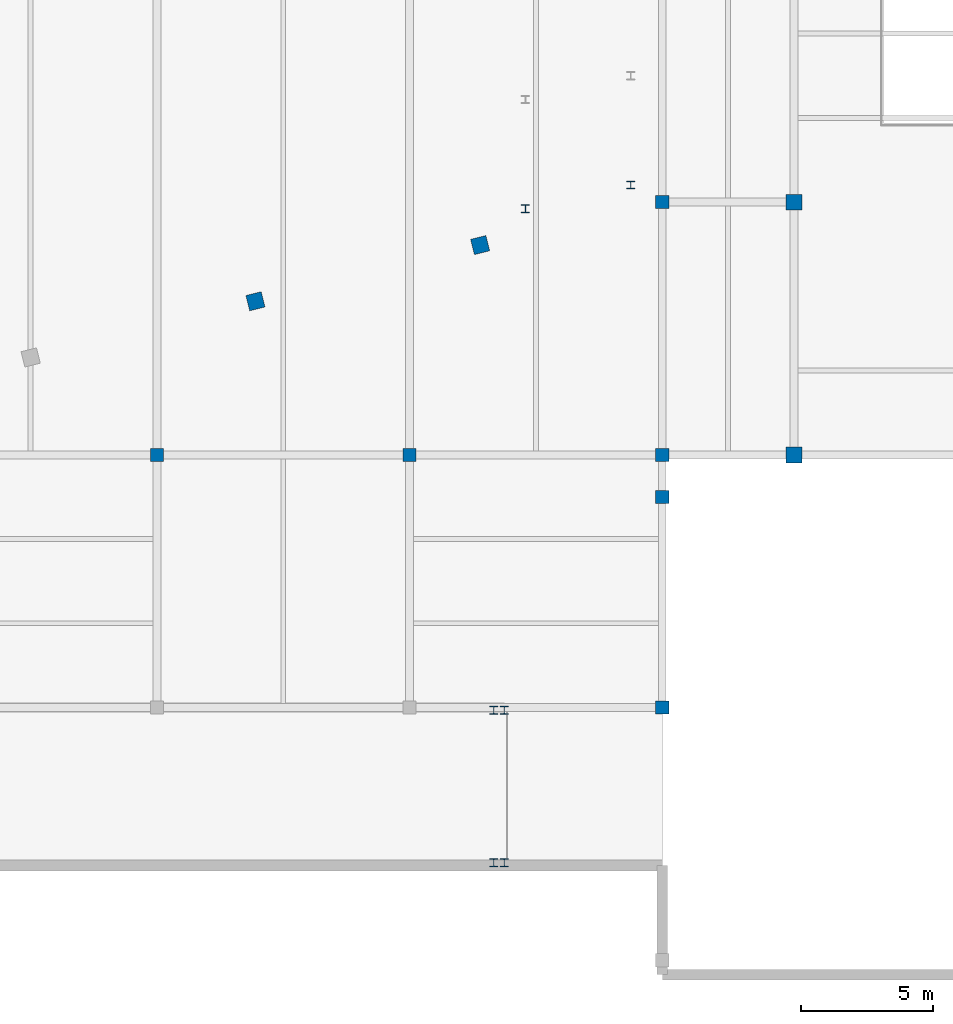
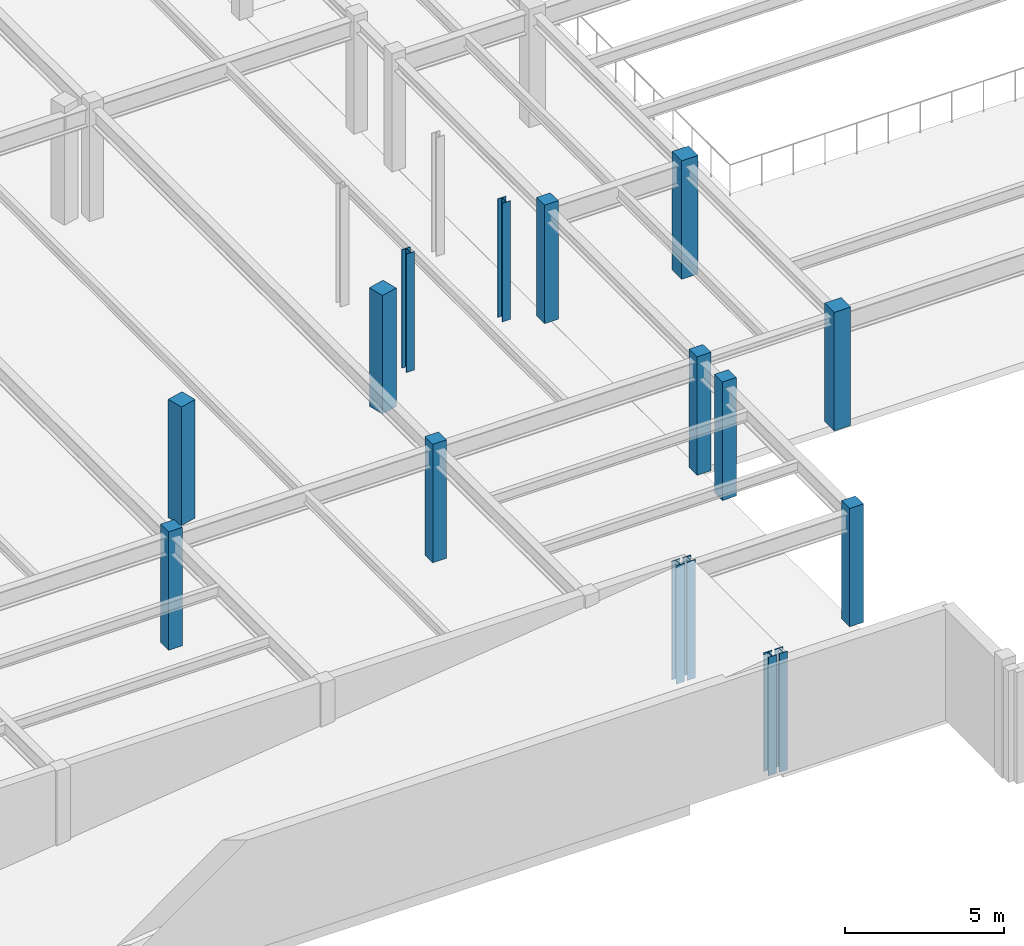
# One storey, part 5 of 32: 16 columns.
"""IFC4 building model written with IfcOpenShell, lengths in metres."""

import ifcopenshell
import ifcopenshell.guid

model = None  # the IFC model being written
_history = None  # IfcOwnerHistory: only IFC2X3 demands one
_inside = {}  # id of a spatial element -> (the spatial element, [elements in it])
_under = {}  # id of a project, library or spatial element -> (it, [spatial elements below it])
_declared = {}  # id of a project -> (the project, [libraries it declares])
_typed = {}  # id of a type object -> (the type object, [elements of that type])
_made_of = {}  # id of a material, layer set ... -> (it, [elements and type objects made of it])


def new_model(schema):
    """Start an empty IFC model of exactly this schema.

    Asked for "IFC4X3", IfcOpenShell would pick the latest addendum, in which some entities
    have other attributes; the version numbers below select the first issue.
    IFC2X3 requires an IfcOwnerHistory on every rooted entity: one is made here for all.
    """
    global model, _history
    if schema == "IFC4X3":
        model = ifcopenshell.file(schema_version=(4, 3, 0, 0))
    else:
        model = ifcopenshell.file(schema=schema)
    _inside.clear()
    _under.clear()
    _declared.clear()
    _typed.clear()
    _made_of.clear()
    _history = None
    if model.schema == "IFC2X3":
        org = make("IfcOrganization", Name="unknown")
        user = make(
            "IfcPersonAndOrganization",
            ThePerson=make("IfcPerson", FamilyName="unknown"),
            TheOrganization=org,
        )
        app = make(
            "IfcApplication",
            ApplicationDeveloper=org,
            Version="unknown",
            ApplicationFullName="unknown",
            ApplicationIdentifier="unknown",
        )
        _history = make(
            "IfcOwnerHistory",
            OwningUser=user,
            OwningApplication=app,
            ChangeAction="ADDED",
            CreationDate=0,
        )
    return model


def make(cls, **values):
    """One entity of the class cls with the attributes given. An attribute that is None is left unset."""
    return model.create_entity(
        cls, **{name: value for name, value in values.items() if value is not None}
    )


def rooted(cls, **values):
    """An entity with a GlobalId (a new one), such as an element, a storey or a relation."""
    return make(cls, GlobalId=ifcopenshell.guid.new(), OwnerHistory=_history, **values)


def si_unit(unit_type, name, prefix=None):
    """IfcSIUnit, for example si_unit("LENGTHUNIT", "METRE", prefix="MILLI")."""
    return make("IfcSIUnit", UnitType=unit_type, Prefix=prefix, Name=name)


def assignment(units):
    """IfcUnitAssignment: the units of a project."""
    return None if units is None else make("IfcUnitAssignment", Units=units)


def point(xyz):
    """IfcCartesianPoint."""
    return None if xyz is None else make("IfcCartesianPoint", Coordinates=xyz)


def direction(xyz):
    """IfcDirection."""
    return None if xyz is None else make("IfcDirection", DirectionRatios=xyz)


def frame(location, z_axis=None, x_axis=None):
    """IfcAxis2Placement3D, a coordinate frame: its origin and axes. An axis left out is left unset."""
    return make(
        "IfcAxis2Placement3D",
        Location=point(location),
        Axis=direction(z_axis),
        RefDirection=direction(x_axis),
    )


def frame_2d(location, x_axis=None):
    """IfcAxis2Placement2D, a coordinate frame in the plane: its origin and x axis."""
    return make(
        "IfcAxis2Placement2D", Location=point(location), RefDirection=direction(x_axis)
    )


def origin():
    """The frame at (0, 0, 0) with its axes left unset."""
    return frame((0.0, 0.0, 0.0))


def origin_2d():
    """The frame at (0, 0) in the plane with its x axis left unset."""
    return frame_2d((0.0, 0.0))


def place(relative_to, where):
    """IfcLocalPlacement: puts the frame where relative to a parent placement (None: the world)."""
    return make(
        "IfcLocalPlacement", PlacementRelTo=relative_to, RelativePlacement=where
    )


def context(
    kind, dimensions, precision=None, world=None, true_north=None, identifier=None
):
    """IfcGeometricRepresentationContext, for example the 3D "Model" context."""
    return make(
        "IfcGeometricRepresentationContext",
        ContextIdentifier=identifier,
        ContextType=kind,
        CoordinateSpaceDimension=dimensions,
        Precision=precision,
        WorldCoordinateSystem=world,
        TrueNorth=true_north,
    )


def subcontext(parent, identifier, kind, view, scale=None):
    """IfcGeometricRepresentationSubContext, for example "Body" below "Model"."""
    return make(
        "IfcGeometricRepresentationSubContext",
        ContextIdentifier=identifier,
        ContextType=kind,
        ParentContext=parent,
        TargetScale=scale,
        TargetView=view,
    )


def project(units=None, contexts=None):
    """IfcProject with its units and contexts."""
    return rooted(
        "IfcProject",
        Name="project",
        RepresentationContexts=contexts,
        UnitsInContext=assignment(units),
    )


def spatial(cls, under=None, at=None, **own):
    """A site, building, storey or space (cls), placed at a placement, below another one or the project."""
    s = rooted(cls, ObjectPlacement=at, **own)
    if under is not None:
        _under.setdefault(under.id(), (under, []))[1].append(s)
    return s


def profile(cls, at=None, kind="AREA", **sizes):
    """A parametric profile (cls). Its sizes go by their IFC names, for example OverallWidth=200.0."""
    return make(cls, ProfileType=kind, Position=at, **sizes)


def rectangle(**sizes):
    """IfcRectangleProfileDef."""
    return profile("IfcRectangleProfileDef", **sizes)


def i_section(**sizes):
    """IfcIShapeProfileDef."""
    return profile("IfcIShapeProfileDef", **sizes)


def extrude(swept, where, along, depth):
    """IfcExtrudedAreaSolid: the profile swept, set in the frame where, extruded along a direction by depth."""
    return make(
        "IfcExtrudedAreaSolid",
        SweptArea=swept,
        Position=where,
        ExtrudedDirection=direction(along),
        Depth=depth,
    )


def shape(context_of_items, identifier, shape_type, items):
    """IfcShapeRepresentation: the items that make up one representation, for example the "Body"."""
    return make(
        "IfcShapeRepresentation",
        ContextOfItems=context_of_items,
        RepresentationIdentifier=identifier,
        RepresentationType=shape_type,
        Items=items,
    )


def material(Name=None, Category=None):
    """IfcMaterial."""
    return make("IfcMaterial", Name=Name, Category=Category)


def material_profile(
    of_material, cross_section, Name=None, Category=None, Priority=None
):
    """IfcMaterialProfile: a cross section and its material."""
    return make(
        "IfcMaterialProfile",
        Name=Name,
        Material=of_material,
        Profile=cross_section,
        Priority=Priority,
        Category=Category,
    )


def profile_set(profiles, Name=None, composite=None):
    """IfcMaterialProfileSet."""
    return make(
        "IfcMaterialProfileSet",
        Name=Name,
        MaterialProfiles=profiles,
        CompositeProfile=composite,
    )


def made_of(thing, what):
    """Note that an element or type object is made of a material, layer set ...; save() writes the relation."""
    if what is not None:
        _made_of.setdefault(what.id(), (what, []))[1].append(thing)
    return thing


def type_object(cls, material=None, **own):
    """A type object (cls), such as IfcWallType, which elements share."""
    return made_of(rooted(cls, **own), material)


def element(
    cls,
    number,
    at=None,
    inside=None,
    cuts=None,
    type_object=None,
    material=None,
    context=None,
    identifier="Body",
    shape_type=None,
    held_by="IfcProductDefinitionShape",
    body=None,
    shapes=None,
    **own,
):
    """One element of the class cls, such as IfcWall. Its Tag is "e" and its number.

    at: its placement. inside: the storey or other place that contains it. cuts: it is an
    opening in that element (IfcRelVoidsElement). A single representation is given by context,
    identifier, shape_type and body (its items); several are given by shapes. held_by: the class
    of the entity that holds the representations. save() writes the other relations.
    """
    e = rooted(cls, Tag="e%d" % number, ObjectPlacement=at, **own)
    if body is not None:
        shapes = [shape(context, identifier, shape_type, body)]
    if shapes is not None:
        e.Representation = make(held_by, Representations=shapes)
    if inside is not None:
        _inside.setdefault(inside.id(), (inside, []))[1].append(e)
    if cuts is not None:
        rooted(
            "IfcRelVoidsElement", RelatingBuildingElement=cuts, RelatedOpeningElement=e
        )
    if type_object is not None:
        _typed.setdefault(type_object.id(), (type_object, []))[1].append(e)
    return made_of(e, material)


def aggregate(whole, parts):
    """IfcRelAggregates: a whole, such as a stair, and the parts it consists of."""
    return rooted("IfcRelAggregates", RelatingObject=whole, RelatedObjects=parts)


def save(model, path):
    """Write the relations noted so far, then the file.

    IfcRelAggregates (storeys below a building ...), IfcRelContainedInSpatialStructure (elements
    in a storey), IfcRelDefinesByType, IfcRelAssociatesMaterial and IfcRelDeclares: one each for
    every whole, place, type object, material and project.
    """
    for whole, parts in _under.values():
        aggregate(whole, parts)
    for where, things in _inside.values():
        rooted(
            "IfcRelContainedInSpatialStructure",
            RelatedElements=things,
            RelatingStructure=where,
        )
    for kind, things in _typed.values():
        rooted("IfcRelDefinesByType", RelatedObjects=things, RelatingType=kind)
    for what, things in _made_of.values():
        rooted("IfcRelAssociatesMaterial", RelatedObjects=things, RelatingMaterial=what)
    for by, libraries in _declared.values():
        rooted("IfcRelDeclares", RelatingContext=by, RelatedDefinitions=libraries)
    model.write(path)


model = new_model("IFC4")

# Units and contexts
model_context = context("Model", 3, precision=1e-05, world=origin(), true_north=direction((0.0, 1.0)))
body_context = subcontext(model_context, "Body", "Model", "MODEL_VIEW")
ifc_project = project(units=[si_unit("LENGTHUNIT", "METRE"), si_unit("AREAUNIT", "SQUARE_METRE"), si_unit("VOLUMEUNIT", "CUBIC_METRE"), si_unit("PLANEANGLEUNIT", "RADIAN"), si_unit("MASSUNIT", "GRAM", prefix="KILO")], contexts=[model_context])

# Site, building, storey
site_placement = place(None, origin())
site = spatial("IfcSite", under=ifc_project, at=site_placement, CompositionType="ELEMENT")
building_placement = place(site_placement, origin())
building = spatial("IfcBuilding", under=site, at=building_placement, Name="Nordkorset Police Headquarters", CompositionType="ELEMENT")
storey_placement = place(building_placement, frame((0.0, 0.0, -4.550048828125)))
storey = spatial("IfcBuildingStorey", under=building, at=storey_placement, Name="B01", CompositionType="ELEMENT", Elevation=-4.550048828125)

# Columns
ifc_material_1 = material(Name="Steel S355J2", Category="steel")
ifc_material_profile_1 = material_profile(ifc_material_1, i_section(OverallWidth=0.300048828125, OverallDepth=0.300048828125, WebThickness=0.010986328125, FlangeThickness=0.01904296875, FilletRadius=0.027099609375, at=origin_2d()), Name="HEB 300")
ifc_profile_set_1 = profile_set([ifc_material_profile_1], Name="Steel S355J2")
column_type_1 = type_object("IfcColumnType", Name="Col_HEB_300", PredefinedType="COLUMN", material=ifc_profile_set_1)
for number, where, z_axis, x_axis, name in (
    (1, (81.199951171875, 57.35009765625, 0.0), (0.0, 0.0, 1.0), (1.0, 0.0, 0.0), "Courtyard Link Bridge Column BRG_E_W2 B01"),
    (2, (85.199951171875, 58.25, 0.0), (0.0, 0.0, 1.0), (1.0, 0.0, 0.0), "Courtyard Link Bridge Column BRG_E_E2 B01"),
    (3, (80.39990234375, 32.5, 0.0), (0.0, 0.0, 1.0), (1.0, 0.0, 0.0), "Portal Jamb Post B01 LNT-VG03-0"),
    (4, (80.39990234375, 38.300048828125, 0.0), (0.0, 0.0, 1.0), (1.0, 0.0, 0.0), "Portal Jamb Post B01 LNT-VG03-1"),
    (5, (80.0, 32.5, 0.0), (0.0, 0.0, 1.0), (1.0, 0.0, 0.0), "Ramp Hood Pier B01 2"),
    (6, (80.0, 38.300048828125, 0.0), (0.0, 0.0, 1.0), (1.0, 0.0, 0.0), "Ramp Hood Pier B01 4"),
):
    element("IfcColumn", number, at=place(storey_placement, frame(where, z_axis=z_axis, x_axis=x_axis)), inside=storey, type_object=column_type_1, Name=name, PredefinedType="COLUMN", context=body_context, shape_type="SweptSolid", body=[
        extrude(i_section(OverallWidth=0.300048828125, OverallDepth=0.300048828125, WebThickness=0.010986328125, FlangeThickness=0.01904296875, FilletRadius=0.027099609375, at=origin_2d()), origin(), (0.0, 0.0, 1.0), 4.550048828125),
    ])
ifc_material_2 = material(Name="Concrete C45/55", Category="concrete")
ifc_material_profile_2 = material_profile(ifc_material_2, rectangle(XDim=0.5, YDim=0.5, at=origin_2d()), Name="RC 500x500")
ifc_profile_set_2 = profile_set([ifc_material_profile_2], Name="Concrete C45/55")
column_type_2 = type_object("IfcColumnType", Name="Col_RC_500x500", PredefinedType="COLUMN", material=ifc_profile_set_2)
for number, where, z_axis, x_axis, name in (
    (7, (86.39990234375, 48.0, 0.0), (0.0, 0.0, 1.0), (1.0, 0.0, 0.0), "Structural Column V5_X0_0 B01"),
    (8, (86.39990234375, 57.60009765625, 0.0), (0.0, 0.0, 1.0), (1.0, 0.0, 0.0), "Structural Column V5_X0_1 B01"),
    (9, (67.199951171875, 48.0, 0.0), (0.0, 0.0, 1.0), (1.0, 0.0, 0.0), "Structural Column SUB_C_4_1 B01"),
    (10, (76.800048828125, 48.0, 0.0), (0.0, 0.0, 1.0), (1.0, 0.0, 0.0), "Structural Column SUB_C_5_1 B01"),
    (11, (86.39990234375, 38.39990234375, 0.0), (0.0, 0.0, 1.0), (1.0, 0.0, 0.0), "Structural Column SUB_C_6_0 B01"),
    (12, (86.39990234375, 46.39990234375, 0.0), (0.0, 0.0, 1.0), (1.0, 0.0, 0.0), "Structural Column V7_EC_0_464 B01"),
):
    element("IfcColumn", number, at=place(storey_placement, frame(where, z_axis=z_axis, x_axis=x_axis)), inside=storey, type_object=column_type_2, Name=name, PredefinedType="COLUMN", context=body_context, shape_type="SweptSolid", body=[
        extrude(rectangle(XDim=0.5, YDim=0.5, at=origin_2d()), origin(), (0.0, 0.0, 1.0), 4.550048828125),
    ])
ifc_material_3 = material(Name="Concrete C45/55", Category="concrete")
ifc_material_profile_3 = material_profile(ifc_material_3, rectangle(XDim=0.60009765625, YDim=0.60009765625, at=origin_2d()), Name="RC 600x600")
ifc_profile_set_3 = profile_set([ifc_material_profile_3], Name="Concrete C45/55")
column_type_3 = type_object("IfcColumnType", Name="Col_RC_600x600", PredefinedType="COLUMN", material=ifc_profile_set_3)
for number, where, z_axis, x_axis, name in (
    (13, (91.39990234375, 48.0, 0.0), (0.0, 0.0, 1.0), (1.0, 0.0, 0.0), "Structural Column V5_X1_0 B01"),
    (14, (91.39990234375, 57.60009765625, 0.0), (0.0, 0.0, 1.0), (1.0, 0.0, 0.0), "Structural Column V5_X1_1 B01"),
    (15, (70.94287109375, 53.835693359375, 0.0), (0.0, 0.0, 1.0), (0.970142500145, 0.242535625038, 0.0), "Structural Column V4_U5_V0 B01"),
    (16, (79.480224609375, 55.969970703125, 0.0), (0.0, 0.0, 1.0), (0.970142500145, 0.242535625038, 0.0), "Structural Column V4_U6_V0 B01"),
):
    element("IfcColumn", number, at=place(storey_placement, frame(where, z_axis=z_axis, x_axis=x_axis)), inside=storey, type_object=column_type_3, Name=name, PredefinedType="COLUMN", context=body_context, shape_type="SweptSolid", body=[
        extrude(rectangle(XDim=0.60009765625, YDim=0.60009765625, at=origin_2d()), origin(), (0.0, 0.0, 1.0), 4.550048828125),
    ])

save(model, "model.ifc")
